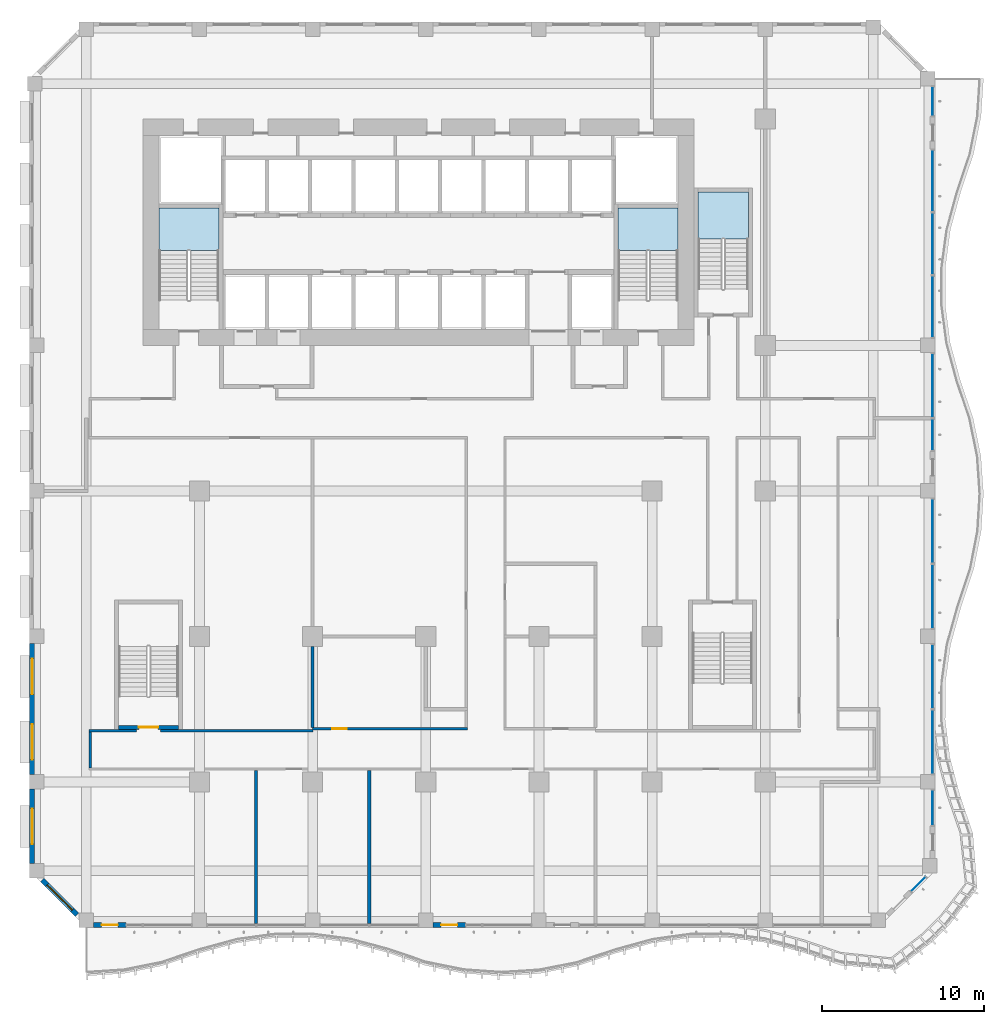
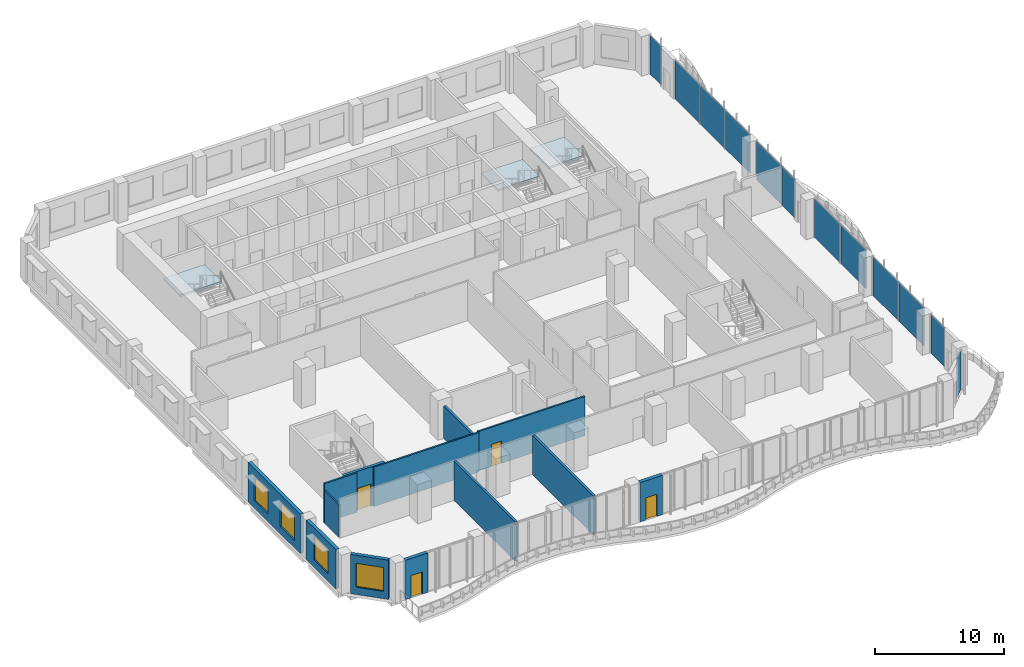
# One storey, part 11 of 26: 13 walls, 12 plates, 4 doors, 4 windows, 3 slabs, 8 openings, 15 elements without a shape of their own.
"""IFC4 building model written with IfcOpenShell, lengths in metres."""

from ifc_helpers import new_model, si_unit, direction, frame, frame_2d, origin, origin_2d, place, context, subcontext, project, spatial, polyline, rectangle, outline, extrude, source, transform, mapped, material, layer, layer_set, type_object, element, fill, aggregate, save


model = new_model("IFC4")

# Units and contexts
model_context = context("Model", 3, precision=1e-05, world=origin(), true_north=direction((0.0, 1.0)))
body_context = subcontext(model_context, "Body", "Model", "MODEL_VIEW")
ifc_project = project(units=[si_unit("LENGTHUNIT", "METRE"), si_unit("AREAUNIT", "SQUARE_METRE"), si_unit("VOLUMEUNIT", "CUBIC_METRE"), si_unit("PLANEANGLEUNIT", "RADIAN"), si_unit("MASSUNIT", "GRAM", prefix="KILO")], contexts=[model_context])

# Site, building, storey
site_placement = place(None, origin())
site = spatial("IfcSite", under=ifc_project, at=site_placement, CompositionType="ELEMENT")
building_placement = place(site_placement, origin())
building = spatial("IfcBuilding", under=site, at=building_placement, Name="Kilnfold Tower and Market Hall", CompositionType="ELEMENT")
storey_placement = place(building_placement, frame((0.0, 0.0, 83.199951171875)))
storey = spatial("IfcBuildingStorey", under=building, at=storey_placement, Name="L19", CompositionType="ELEMENT", Elevation=83.199951171875)

# Curtain wall, plate
ifc_material_1 = material(Name="Aluminium and double glazing", Category="aluminium")
curtain_wall_type = type_object("IfcCurtainWallType", Name="CW OF1 VALLEY GLAZING", PredefinedType="NOTDEFINED", material=ifc_material_1)
curtain_wall_1_placement = place(storey_placement, origin())
curtain_wall_1 = element("IfcCurtainWall", 1, at=curtain_wall_1_placement, inside=storey, type_object=curtain_wall_type, Name="Curtain wall CW1 L19 SE", PredefinedType="NOTDEFINED")
ifc_material_2 = material(Name="Double glazed unit")
ifc_layer_1 = layer(ifc_material_2, 0.031982421875)
ifc_layer_set_1 = layer_set([ifc_layer_1], Name="Double glazed unit")
plate_type = type_object("IfcPlateType", Name="GLAZING PANEL 32", PredefinedType="CURTAIN_PANEL", material=ifc_layer_set_1)
shared_shape_1 = source(origin(), body_context, "Body", "SweptSolid", [
    extrude(rectangle(XDim=1.23876953125, YDim=0.031982421875, at=origin_2d()), origin(), (0.0, 0.0, 1.0), 3.659912109375),
])
plate_1_placement = place(storey_placement, frame((31.963623046875, -25.32421875, 0.0), z_axis=(0.0, 0.0, 1.0), x_axis=(0.707106781187, 0.707106781187, 0.0)))
plate_1 = element("IfcPlate", 2, at=plate_1_placement, type_object=plate_type, Name="CW1 panel 1.1", PredefinedType="CURTAIN_PANEL", context=body_context, shape_type="MappedRepresentation", body=[
    mapped(shared_shape_1, transform((0.0, 0.0, 0.0))),
])
aggregate(curtain_wall_1, [plate_1])

curtain_wall_2_placement = place(storey_placement, origin())
curtain_wall_2 = element("IfcCurtainWall", 3, at=curtain_wall_2_placement, inside=storey, type_object=curtain_wall_type, Name="Curtain wall CW1 L19 E", PredefinedType="NOTDEFINED")
shared_shape_2 = source(origin(), body_context, "Body", "SweptSolid", [
    extrude(rectangle(XDim=2.161865234375, YDim=0.031982421875, at=origin_2d()), origin(), (0.0, 0.0, 1.0), 3.659912109375),
])
plate_2_placement = place(storey_placement, frame((32.85009765625, -20.5908203125, 0.0), z_axis=(0.0, 0.0, 1.0), x_axis=(0.0, 1.0, 0.0)))
plate_2 = element("IfcPlate", 4, at=plate_2_placement, type_object=plate_type, Name="CW1 panel 1.1", PredefinedType="CURTAIN_PANEL", context=body_context, shape_type="MappedRepresentation", body=[
    mapped(shared_shape_2, transform((0.0, 0.0, 0.0))),
])
aggregate(curtain_wall_2, [plate_2])

curtain_wall_3_placement = place(storey_placement, origin())
curtain_wall_3 = element("IfcCurtainWall", 5, at=curtain_wall_3_placement, inside=storey, type_object=curtain_wall_type, Name="Curtain wall CW1 L19 E", PredefinedType="NOTDEFINED")
shared_shape_3 = source(origin(), body_context, "Body", "SweptSolid", [
    extrude(rectangle(XDim=3.929931640625, YDim=0.031982421875, at=origin_2d()), origin(), (0.0, 0.0, 1.0), 3.659912109375),
])
plate_3_placement = place(storey_placement, frame((32.85009765625, -16.52490234375, 0.0), z_axis=(0.0, 0.0, 1.0), x_axis=(0.0, 1.0, 0.0)))
plate_3 = element("IfcPlate", 6, at=plate_3_placement, type_object=plate_type, Name="CW1 panel 1.1", PredefinedType="CURTAIN_PANEL", context=body_context, shape_type="MappedRepresentation", body=[
    mapped(shared_shape_3, transform((0.0, 0.0, 0.0))),
])
aggregate(curtain_wall_3, [plate_3])

curtain_wall_4_placement = place(storey_placement, origin())
curtain_wall_4 = element("IfcCurtainWall", 7, at=curtain_wall_4_placement, inside=storey, type_object=curtain_wall_type, Name="Curtain wall CW1 L19 E", PredefinedType="NOTDEFINED")
plate_4_placement = place(storey_placement, frame((32.85009765625, -12.47509765625, 0.0), z_axis=(0.0, 0.0, 1.0), x_axis=(0.0, 1.0, 0.0)))
plate_4 = element("IfcPlate", 8, at=plate_4_placement, type_object=plate_type, Name="CW1 panel 1.1", PredefinedType="CURTAIN_PANEL", context=body_context, shape_type="MappedRepresentation", body=[
    mapped(shared_shape_3, transform((0.0, 0.0, 0.0))),
])
aggregate(curtain_wall_4, [plate_4])

curtain_wall_5_placement = place(storey_placement, origin())
curtain_wall_5 = element("IfcCurtainWall", 9, at=curtain_wall_5_placement, inside=storey, type_object=curtain_wall_type, Name="Curtain wall CW1 L19 E", PredefinedType="NOTDEFINED")
plate_5_placement = place(storey_placement, frame((32.85009765625, -7.52490234375, 0.0), z_axis=(0.0, 0.0, 1.0), x_axis=(0.0, 1.0, 0.0)))
plate_5 = element("IfcPlate", 10, at=plate_5_placement, type_object=plate_type, Name="CW1 panel 1.1", PredefinedType="CURTAIN_PANEL", context=body_context, shape_type="MappedRepresentation", body=[
    mapped(shared_shape_3, transform((0.0, 0.0, 0.0))),
])
aggregate(curtain_wall_5, [plate_5])

curtain_wall_6_placement = place(storey_placement, origin())
curtain_wall_6 = element("IfcCurtainWall", 11, at=curtain_wall_6_placement, inside=storey, type_object=curtain_wall_type, Name="Curtain wall CW1 L19 E", PredefinedType="NOTDEFINED")
plate_6_placement = place(storey_placement, frame((32.85009765625, -3.47509765625, 0.0), z_axis=(0.0, 0.0, 1.0), x_axis=(0.0, 1.0, 0.0)))
plate_6 = element("IfcPlate", 12, at=plate_6_placement, type_object=plate_type, Name="CW1 panel 1.1", PredefinedType="CURTAIN_PANEL", context=body_context, shape_type="MappedRepresentation", body=[
    mapped(shared_shape_3, transform((0.0, 0.0, 0.0))),
])
aggregate(curtain_wall_6, [plate_6])

curtain_wall_7_placement = place(storey_placement, origin())
curtain_wall_7 = element("IfcCurtainWall", 13, at=curtain_wall_7_placement, inside=storey, type_object=curtain_wall_type, Name="Curtain wall CW1 L19 E", PredefinedType="NOTDEFINED")
plate_7_placement = place(storey_placement, frame((32.85009765625, 5.52490234375, 0.0), z_axis=(0.0, 0.0, 1.0), x_axis=(0.0, 1.0, 0.0)))
plate_7 = element("IfcPlate", 14, at=plate_7_placement, type_object=plate_type, Name="CW1 panel 1.1", PredefinedType="CURTAIN_PANEL", context=body_context, shape_type="MappedRepresentation", body=[
    mapped(shared_shape_3, transform((0.0, 0.0, 0.0))),
])
aggregate(curtain_wall_7, [plate_7])

curtain_wall_8_placement = place(storey_placement, origin())
curtain_wall_8 = element("IfcCurtainWall", 15, at=curtain_wall_8_placement, inside=storey, type_object=curtain_wall_type, Name="Curtain wall CW1 L19 E", PredefinedType="NOTDEFINED")
shared_shape_4 = source(origin(), body_context, "Body", "SweptSolid", [
    extrude(rectangle(XDim=1.929931640625, YDim=0.031982421875, at=origin_2d()), origin(), (0.0, 0.0, 1.0), 3.659912109375),
])
plate_8_placement = place(storey_placement, frame((32.85009765625, 2.47509765625, 0.0), z_axis=(0.0, 0.0, 1.0), x_axis=(0.0, 1.0, 0.0)))
plate_8 = element("IfcPlate", 16, at=plate_8_placement, type_object=plate_type, Name="CW1 panel 1.1", PredefinedType="CURTAIN_PANEL", context=body_context, shape_type="MappedRepresentation", body=[
    mapped(shared_shape_4, transform((0.0, 0.0, 0.0))),
])
aggregate(curtain_wall_8, [plate_8])

curtain_wall_9_placement = place(storey_placement, origin())
curtain_wall_9 = element("IfcCurtainWall", 17, at=curtain_wall_9_placement, inside=storey, type_object=curtain_wall_type, Name="Curtain wall CW1 L19 E", PredefinedType="NOTDEFINED")
shared_shape_5 = source(origin(), body_context, "Body", "SweptSolid", [
    extrude(rectangle(XDim=3.780029296875, YDim=0.031982421875, at=origin_2d()), origin(), (0.0, 0.0, 1.0), 3.659912109375),
])
plate_9_placement = place(storey_placement, frame((32.85009765625, 10.39990234375, 0.0), z_axis=(0.0, 0.0, 1.0), x_axis=(0.0, 1.0, 0.0)))
plate_9 = element("IfcPlate", 18, at=plate_9_placement, type_object=plate_type, Name="CW1 panel 1.1", PredefinedType="CURTAIN_PANEL", context=body_context, shape_type="MappedRepresentation", body=[
    mapped(shared_shape_5, transform((0.0, 0.0, 0.0))),
])
aggregate(curtain_wall_9, [plate_9])

curtain_wall_10_placement = place(storey_placement, origin())
curtain_wall_10 = element("IfcCurtainWall", 19, at=curtain_wall_10_placement, inside=storey, type_object=curtain_wall_type, Name="Curtain wall CW1 L19 E", PredefinedType="NOTDEFINED")
plate_10_placement = place(storey_placement, frame((32.85009765625, 14.300048828125, 0.0), z_axis=(0.0, 0.0, 1.0), x_axis=(0.0, 1.0, 0.0)))
plate_10 = element("IfcPlate", 20, at=plate_10_placement, type_object=plate_type, Name="CW1 panel 1.1", PredefinedType="CURTAIN_PANEL", context=body_context, shape_type="MappedRepresentation", body=[
    mapped(shared_shape_5, transform((0.0, 0.0, 0.0))),
])
aggregate(curtain_wall_10, [plate_10])

curtain_wall_11_placement = place(storey_placement, origin())
curtain_wall_11 = element("IfcCurtainWall", 21, at=curtain_wall_11_placement, inside=storey, type_object=curtain_wall_type, Name="Curtain wall CW1 L19 E", PredefinedType="NOTDEFINED")
plate_11_placement = place(storey_placement, frame((32.85009765625, 18.199951171875, 0.0), z_axis=(0.0, 0.0, 1.0), x_axis=(0.0, 1.0, 0.0)))
plate_11 = element("IfcPlate", 22, at=plate_11_placement, type_object=plate_type, Name="CW1 panel 1.1", PredefinedType="CURTAIN_PANEL", context=body_context, shape_type="MappedRepresentation", body=[
    mapped(shared_shape_5, transform((0.0, 0.0, 0.0))),
])
aggregate(curtain_wall_11, [plate_11])

curtain_wall_12_placement = place(storey_placement, origin())
curtain_wall_12 = element("IfcCurtainWall", 23, at=curtain_wall_12_placement, inside=storey, type_object=curtain_wall_type, Name="Curtain wall CW1 L19 E", PredefinedType="NOTDEFINED")
shared_shape_6 = source(origin(), body_context, "Body", "SweptSolid", [
    extrude(rectangle(XDim=1.780029296875, YDim=0.031982421875, at=origin_2d()), origin(), (0.0, 0.0, 1.0), 3.659912109375),
])
plate_12_placement = place(storey_placement, frame((32.85009765625, 23.10009765625, 0.0), z_axis=(0.0, 0.0, 1.0), x_axis=(0.0, 1.0, 0.0)))
plate_12 = element("IfcPlate", 24, at=plate_12_placement, type_object=plate_type, Name="CW1 panel 1.1", PredefinedType="CURTAIN_PANEL", context=body_context, shape_type="MappedRepresentation", body=[
    mapped(shared_shape_6, transform((0.0, 0.0, 0.0))),
])
aggregate(curtain_wall_12, [plate_12])

# Stair, slab
ifc_material_3 = material(Name="Concrete C40/50", Category="concrete")
stair_type_1 = type_object("IfcStairType", Name="CORE STAIR 1800", PredefinedType="HALF_TURN_STAIR", material=ifc_material_3)
stair_1_placement = place(storey_placement, origin())
stair_1 = element("IfcStair", 25, at=stair_1_placement, inside=storey, type_object=stair_type_1, Name="L19 ST1", PredefinedType="HALF_TURN_STAIR")
ifc_material_4 = material(Name="Concrete C40/50", Category="concrete")
ifc_layer_2 = layer(ifc_material_4, 0.199951171875)
ifc_layer_set_2 = layer_set([ifc_layer_2], Name="Concrete C40/50")
slab_type = type_object("IfcSlabType", Name="CORE STAIR LANDING 200", PredefinedType="LANDING", material=ifc_layer_set_2)
shared_shape_7 = source(origin(), body_context, "Body", "SweptSolid", [
    extrude(outline(polyline([(-11.300048828125, 13.8798828125), (-11.300048828125, 16.5), (-15.0, 16.5), (-15.0, 13.8798828125), (-11.300048828125, 13.8798828125)])), origin(), (0.0, 0.0, 1.0), 0.199951171875),
])
slab_1_placement = place(storey_placement, frame((0.0, 0.0, 1.800048828125)))
slab_1 = element("IfcSlab", 26, at=slab_1_placement, type_object=slab_type, Name="ST1 landing 1", PredefinedType="LANDING", context=body_context, shape_type="MappedRepresentation", body=[
    mapped(shared_shape_7, transform((0.0, 0.0, 0.0))),
])
aggregate(stair_1, [slab_1])

stair_2_placement = place(storey_placement, origin())
stair_2 = element("IfcStair", 27, at=stair_2_placement, inside=storey, type_object=stair_type_1, Name="L19 ST2", PredefinedType="HALF_TURN_STAIR")
shared_shape_8 = source(origin(), body_context, "Body", "SweptSolid", [
    extrude(outline(polyline([(17.10009765625, 13.8798828125), (17.10009765625, 16.5), (13.39990234375, 16.5), (13.39990234375, 13.8798828125), (17.10009765625, 13.8798828125)])), origin(), (0.0, 0.0, 1.0), 0.199951171875),
])
slab_2_placement = place(storey_placement, frame((0.0, 0.0, 1.800048828125)))
slab_2 = element("IfcSlab", 28, at=slab_2_placement, type_object=slab_type, Name="ST2 landing 1", PredefinedType="LANDING", context=body_context, shape_type="MappedRepresentation", body=[
    mapped(shared_shape_8, transform((0.0, 0.0, 0.0))),
])
aggregate(stair_2, [slab_2])

ifc_material_5 = material(Name="Concrete C40/50", Category="concrete")
stair_type_2 = type_object("IfcStairType", Name="CORE STAIR 1500", PredefinedType="HALF_TURN_STAIR", material=ifc_material_5)
stair_3_placement = place(storey_placement, origin())
stair_3 = element("IfcStair", 29, at=stair_3_placement, inside=storey, type_object=stair_type_2, Name="L19 ST5", PredefinedType="HALF_TURN_STAIR")
shared_shape_9 = source(origin(), body_context, "Body", "SweptSolid", [
    extrude(outline(polyline([(21.449951171875, 14.580078125), (21.449951171875, 17.5), (18.35009765625, 17.5), (18.35009765625, 14.580078125), (21.449951171875, 14.580078125)])), origin(), (0.0, 0.0, 1.0), 0.199951171875),
])
slab_3_placement = place(storey_placement, frame((0.0, 0.0, 1.800048828125)))
slab_3 = element("IfcSlab", 30, at=slab_3_placement, type_object=slab_type, Name="ST5 landing 1", PredefinedType="LANDING", context=body_context, shape_type="MappedRepresentation", body=[
    mapped(shared_shape_9, transform((0.0, 0.0, 0.0))),
])
aggregate(stair_3, [slab_3])

# Walls
ifc_material_6 = material(Name="Gypsum board on steel studs", Category="steel")
ifc_layer_3 = layer(ifc_material_6, 0.14990234375)
ifc_layer_set_3 = layer_set([ifc_layer_3], Name="Gypsum board on steel studs")
wall_type_1 = type_object("IfcWallType", Name="WALL CORRIDOR 150", PredefinedType="PARTITIONING", material=ifc_layer_set_3)
wall_1_placement = place(storey_placement, frame((-19.25, -18.125, 0.0), z_axis=(0.0, 0.0, 1.0), x_axis=(0.0, 1.0, 0.0)))
element("IfcWall", 31, at=wall_1_placement, inside=storey, type_object=wall_type_1, Name="Partition LY13.2", PredefinedType="PARTITIONING", context=body_context, shape_type="SweptSolid", body=[
    extrude(rectangle(XDim=2.22509765625, YDim=0.14990234375, at=frame_2d((1.112548828125, 0.0))), origin(), (0.0, 0.0, 1.0), 3.070068359375),
])
wall_2_placement = place(storey_placement, frame((-14.89990234375, -15.824951171875, 0.0), z_axis=(0.0, 0.0, 1.0), x_axis=(1.0, 0.0, 0.0)))
element("IfcWall", 32, at=wall_2_placement, inside=storey, type_object=wall_type_1, Name="Partition LY13.3", PredefinedType="PARTITIONING", context=body_context, shape_type="SweptSolid", body=[
    extrude(rectangle(XDim=9.409912109375, YDim=0.14990234375, at=frame_2d((4.705078125, 0.0))), origin(), (0.0, 0.0, 1.0), 3.719970703125),
])
wall_3_placement = place(storey_placement, frame((-19.324951171875, -15.824951171875, 0.0), z_axis=(0.0, 0.0, 1.0), x_axis=(1.0, 0.0, 0.0)))
element("IfcWall", 33, at=wall_3_placement, inside=storey, type_object=wall_type_1, Name="Partition LY13.4", PredefinedType="PARTITIONING", context=body_context, shape_type="SweptSolid", body=[
    extrude(rectangle(XDim=2.925048828125, YDim=0.14990234375, at=frame_2d((1.46240234375, 0.0))), origin(), (0.0, 0.0, 1.0), 3.719970703125),
])

# Wall, opening, door
wall_4_placement = place(storey_placement, frame((-5.510009765625, -15.699951171875, 0.0), z_axis=(0.0, 0.0, 1.0), x_axis=(1.0, 0.0, 0.0)))
wall_4 = element("IfcWall", 34, at=wall_4_placement, inside=storey, type_object=wall_type_1, Name="Partition LY13.12", PredefinedType="PARTITIONING", context=body_context, shape_type="SweptSolid", body=[
    extrude(rectangle(XDim=9.5849609375, YDim=0.14990234375, at=frame_2d((4.79248046875, 0.0))), origin(), (0.0, 0.0, 1.0), 3.719970703125),
])
opening_1_placement = place(wall_4_placement, frame((1.2099609375, 0.0, 0.0)))
opening_1 = element("IfcOpeningElement", 35, at=opening_1_placement, cuts=wall_4, Name="Opening D2", PredefinedType="OPENING", context=body_context, shape_type="SweptSolid", body=[
    extrude(rectangle(XDim=0.89990234375, YDim=2.10009765625, at=frame_2d((0.449951171875, 1.050048828125))), frame((0.0, 0.0849609375, 0.0), z_axis=(0.0, -1.0, 0.0), x_axis=(1.0, 0.0, 0.0)), (0.0, 0.0, 1.0), 0.169921875),
])
ifc_material_7 = material(Name="Timber veneer door leaf in steel frame", Category="steel")
door_type_1 = type_object("IfcDoorType", Name="DOOR ROOM 900 X2100", OperationType="NOTDEFINED", PredefinedType="DOOR", material=ifc_material_7)
door_1_placement = place(opening_1_placement, origin())
door_1 = element("IfcDoor", 36, at=door_1_placement, inside=storey, type_object=door_type_1, Name="Door D2", OperationType="SINGLE_SWING_LEFT", OverallHeight=2.10009765625, OverallWidth=0.89990234375, PredefinedType="DOOR", context=body_context, shape_type="SweptSolid", body=[
    extrude(rectangle(XDim=0.89990234375, YDim=2.10009765625, at=frame_2d((0.449951171875, 1.050048828125))), frame((0.0, 0.02490234375, 0.0), z_axis=(0.0, -1.0, 0.0), x_axis=(1.0, 0.0, 0.0)), (0.0, 0.0, 1.0), 0.050048828125),
])
fill(opening_1, door_1)

# Walls
ifc_material_8 = material(Name="Gypsum board on steel studs", Category="steel")
ifc_layer_4 = layer(ifc_material_8, 0.199951171875)
ifc_layer_set_4 = layer_set([ifc_layer_4], Name="Gypsum board on steel studs")
wall_type_2 = type_object("IfcWallType", Name="WALL PARTY 200", PredefinedType="PARTITIONING", material=ifc_layer_set_4)
wall_5_placement = place(storey_placement, frame((-9.0, -27.75, 0.0), z_axis=(0.0, 0.0, 1.0), x_axis=(0.0, 1.0, 0.0)))
element("IfcWall", 37, at=wall_5_placement, inside=storey, type_object=wall_type_2, Name="Partition LY13.39", PredefinedType="PARTITIONING", context=body_context, shape_type="SweptSolid", body=[
    extrude(rectangle(XDim=9.47412109375, YDim=0.199951171875, at=frame_2d((4.737060546875, 0.0))), origin(), (0.0, 0.0, 1.0), 3.719970703125),
])
wall_6_placement = place(storey_placement, frame((-5.5, -15.6240234375, 0.0), z_axis=(0.0, 0.0, 1.0), x_axis=(0.0, 1.0, 0.0)))
element("IfcWall", 38, at=wall_6_placement, inside=storey, type_object=wall_type_2, Name="Partition LY13.40", PredefinedType="PARTITIONING", context=body_context, shape_type="SweptSolid", body=[
    extrude(rectangle(XDim=4.9990234375, YDim=0.199951171875, at=frame_2d((2.49951171875, 0.0))), origin(), (0.0, 0.0, 1.0), 3.070068359375),
])
wall_7_placement = place(storey_placement, frame((-2.0, -27.75, 0.0), z_axis=(0.0, 0.0, 1.0), x_axis=(0.0, 1.0, 0.0)))
element("IfcWall", 39, at=wall_7_placement, inside=storey, type_object=wall_type_2, Name="Partition LY13.43", PredefinedType="PARTITIONING", context=body_context, shape_type="SweptSolid", body=[
    extrude(rectangle(XDim=9.47412109375, YDim=0.199951171875, at=frame_2d((4.737060546875, 0.0))), origin(), (0.0, 0.0, 1.0), 3.719970703125),
])

# Wall, opening, door
ifc_material_9 = material(Name="Concrete C80", Category="concrete")
ifc_layer_5 = layer(ifc_material_9, 0.25)
ifc_layer_set_5 = layer_set([ifc_layer_5], Name="Concrete C80")
wall_type_3 = type_object("IfcWallType", Name="CORE WALL 250 C80", PredefinedType="SHEAR", material=ifc_layer_set_5)
shared_shape_10 = source(origin(), body_context, "Body", "SweptSolid", [
    extrude(rectangle(XDim=3.699951171875, YDim=0.25, at=frame_2d((1.85009765625, 0.0))), origin(), (0.0, 0.0, 1.0), 3.719970703125),
])
wall_8_placement = place(storey_placement, frame((-17.5, -15.625, 0.0), z_axis=(0.0, 0.0, 1.0), x_axis=(1.0, 0.0, 0.0)))
wall_8 = element("IfcWall", 40, at=wall_8_placement, inside=storey, type_object=wall_type_3, Name="Stair enclosure ST3", PredefinedType="SHEAR", context=body_context, shape_type="MappedRepresentation", body=[
    mapped(shared_shape_10, transform((0.0, 0.0, 0.0))),
])
opening_2_placement = place(wall_8_placement, frame((1.25, 0.0, 0.0)))
opening_2 = element("IfcOpeningElement", 41, at=opening_2_placement, cuts=wall_8, Name="Opening SD1", PredefinedType="OPENING", context=body_context, shape_type="SweptSolid", body=[
    extrude(rectangle(XDim=1.199951171875, YDim=2.10009765625, at=frame_2d((0.60009765625, 1.050048828125))), frame((0.0, 0.135009765625, 0.0), z_axis=(0.0, -1.0, 0.0), x_axis=(1.0, 0.0, 0.0)), (0.0, 0.0, 1.0), 0.27001953125),
])
ifc_material_10 = material(Name="Steel door set with fire-resisting leaf", Category="steel")
door_type_2 = type_object("IfcDoorType", Name="STAIR FLOOR DOOR 1200X2100", OperationType="NOTDEFINED", PredefinedType="DOOR", material=ifc_material_10)
door_2_placement = place(opening_2_placement, origin())
door_2 = element("IfcDoor", 42, at=door_2_placement, inside=storey, type_object=door_type_2, Name="Exit stair ST3 door", OperationType="DOUBLE_DOOR_SINGLE_SWING", OverallHeight=2.10009765625, OverallWidth=1.199951171875, PredefinedType="DOOR", context=body_context, shape_type="SweptSolid", body=[
    extrude(rectangle(XDim=1.199951171875, YDim=2.10009765625, at=frame_2d((0.60009765625, 1.050048828125))), frame((0.0, 0.02490234375, 0.0), z_axis=(0.0, -1.0, 0.0), x_axis=(1.0, 0.0, 0.0)), (0.0, 0.0, 1.0), 0.050048828125),
])
fill(opening_2, door_2)

ifc_material_11 = material(Name="Precast concrete C50/60", Category="concrete")
ifc_layer_6 = layer(ifc_material_11, 0.300048828125)
ifc_layer_set_6 = layer_set([ifc_layer_6], Name="Precast concrete C50/60")
wall_type_4 = type_object("IfcWallType", Name="PRECAST WALL 300", PredefinedType="SOLIDWALL", material=ifc_layer_set_6)
shared_shape_11 = source(origin(), body_context, "Body", "SweptSolid", [
    extrude(rectangle(XDim=2.0, YDim=0.300048828125, at=frame_2d((1.0, 0.0))), origin(), (0.0, 0.0, 1.0), 3.719970703125),
])
wall_9_placement = place(storey_placement, frame((-19.050048828125, -27.85009765625, 0.0), z_axis=(0.0, 0.0, 1.0), x_axis=(1.0, 0.0, 0.0)))
wall_9 = element("IfcWall", 43, at=wall_9_placement, inside=storey, type_object=wall_type_4, Name="External wall L19 S", PredefinedType="SOLIDWALL", context=body_context, shape_type="MappedRepresentation", body=[
    mapped(shared_shape_11, transform((0.0, 0.0, 0.0))),
])
opening_3_placement = place(wall_9_placement, frame((0.5, 0.0, 0.0)))
opening_3 = element("IfcOpeningElement", 44, at=opening_3_placement, cuts=wall_9, Name="Opening BD1", PredefinedType="OPENING", context=body_context, shape_type="SweptSolid", body=[
    extrude(rectangle(XDim=1.0, YDim=2.10009765625, at=frame_2d((0.5, 1.050048828125))), frame((0.0, 0.16015625, 0.0), z_axis=(0.0, -1.0, 0.0), x_axis=(1.0, 0.0, 0.0)), (0.0, 0.0, 1.0), 0.320068359375),
])
ifc_material_12 = material(Name="Aluminium frame and double glazing", Category="aluminium")
door_type_3 = type_object("IfcDoorType", Name="BALCONY DOOR 1000X2100", OperationType="NOTDEFINED", PredefinedType="DOOR", material=ifc_material_12)
door_3_placement = place(opening_3_placement, origin())
door_3 = element("IfcDoor", 45, at=door_3_placement, inside=storey, type_object=door_type_3, Name="Balcony door BD1 L19 S-1", OperationType="SINGLE_SWING_LEFT", OverallHeight=2.10009765625, OverallWidth=1.0, PredefinedType="DOOR", context=body_context, shape_type="SweptSolid", body=[
    extrude(rectangle(XDim=1.0, YDim=2.10009765625, at=frame_2d((0.5, 1.050048828125))), frame((0.0, 0.02490234375, 0.0), z_axis=(0.0, -1.0, 0.0), x_axis=(1.0, 0.0, 0.0)), (0.0, 0.0, 1.0), 0.050048828125),
])
fill(opening_3, door_3)

wall_10_placement = place(storey_placement, frame((1.949951171875, -27.85009765625, 0.0), z_axis=(0.0, 0.0, 1.0), x_axis=(1.0, 0.0, 0.0)))
wall_10 = element("IfcWall", 46, at=wall_10_placement, inside=storey, type_object=wall_type_4, Name="External wall L19 S", PredefinedType="SOLIDWALL", context=body_context, shape_type="MappedRepresentation", body=[
    mapped(shared_shape_11, transform((0.0, 0.0, 0.0))),
])
opening_4_placement = place(wall_10_placement, frame((0.5, 0.0, 0.0)))
opening_4 = element("IfcOpeningElement", 47, at=opening_4_placement, cuts=wall_10, Name="Opening BD1", PredefinedType="OPENING", context=body_context, shape_type="SweptSolid", body=[
    extrude(rectangle(XDim=1.0, YDim=2.10009765625, at=frame_2d((0.5, 1.050048828125))), frame((0.0, 0.16015625, 0.0), z_axis=(0.0, -1.0, 0.0), x_axis=(1.0, 0.0, 0.0)), (0.0, 0.0, 1.0), 0.320068359375),
])
door_4_placement = place(opening_4_placement, origin())
door_4 = element("IfcDoor", 48, at=door_4_placement, inside=storey, type_object=door_type_3, Name="Balcony door BD1 L19 S-1", OperationType="SINGLE_SWING_LEFT", OverallHeight=2.10009765625, OverallWidth=1.0, PredefinedType="DOOR", context=body_context, shape_type="SweptSolid", body=[
    extrude(rectangle(XDim=1.0, YDim=2.10009765625, at=frame_2d((0.5, 1.050048828125))), frame((0.0, 0.02490234375, 0.0), z_axis=(0.0, -1.0, 0.0), x_axis=(1.0, 0.0, 0.0)), (0.0, 0.0, 1.0), 0.050048828125),
])
fill(opening_4, door_4)

# Wall, openings, windows
shared_shape_12 = source(origin(), body_context, "Body", "SweptSolid", [
    extrude(rectangle(XDim=8.10009765625, YDim=0.300048828125, at=frame_2d((4.050048828125, 0.0))), origin(), (0.0, 0.0, 1.0), 3.719970703125),
])
wall_11_placement = place(storey_placement, frame((-22.85009765625, -10.449951171875, 0.0), z_axis=(0.0, 0.0, 1.0), x_axis=(0.0, -1.0, 0.0)))
wall_11 = element("IfcWall", 49, at=wall_11_placement, inside=storey, type_object=wall_type_4, Name="External wall L19 W", PredefinedType="SOLIDWALL", context=body_context, shape_type="MappedRepresentation", body=[
    mapped(shared_shape_12, transform((0.0, 0.0, 0.0))),
])
opening_5_placement = place(wall_11_placement, frame((0.925048828125, 0.0, 0.699951171875)))
opening_5 = element("IfcOpeningElement", 50, at=opening_5_placement, cuts=wall_11, Name="Opening W1", PredefinedType="OPENING", context=body_context, shape_type="SweptSolid", body=[
    extrude(rectangle(XDim=2.199951171875, YDim=2.25, at=frame_2d((1.10009765625, 1.125))), frame((0.0, 0.16015625, 0.0), z_axis=(0.0, -1.0, 0.0), x_axis=(1.0, 0.0, 0.0)), (0.0, 0.0, 1.0), 0.320068359375),
])
opening_6_placement = place(wall_11_placement, frame((4.97509765625, 0.0, 0.699951171875)))
opening_6 = element("IfcOpeningElement", 51, at=opening_6_placement, cuts=wall_11, Name="Opening W1", PredefinedType="OPENING", context=body_context, shape_type="SweptSolid", body=[
    extrude(rectangle(XDim=2.199951171875, YDim=2.25, at=frame_2d((1.10009765625, 1.125))), frame((0.0, 0.16015625, 0.0), z_axis=(0.0, -1.0, 0.0), x_axis=(1.0, 0.0, 0.0)), (0.0, 0.0, 1.0), 0.320068359375),
])
ifc_material_13 = material(Name="Aluminium frame and double glazing", Category="aluminium")
window_type = type_object("IfcWindowType", Name="WINDOW W1 2200X2250", PartitioningType="SINGLE_PANEL", PredefinedType="WINDOW", material=ifc_material_13)
window_1_placement = place(opening_5_placement, origin())
window_1 = element("IfcWindow", 52, at=window_1_placement, inside=storey, type_object=window_type, Name="Window W1 L19 W-1", OverallHeight=2.25, OverallWidth=2.199951171875, PartitioningType="SINGLE_PANEL", PredefinedType="WINDOW", context=body_context, shape_type="SweptSolid", body=[
    extrude(rectangle(XDim=2.199951171875, YDim=2.25, at=frame_2d((1.10009765625, 1.125))), frame((0.0, 0.030029296875, 0.0), z_axis=(0.0, -1.0, 0.0), x_axis=(1.0, 0.0, 0.0)), (0.0, 0.0, 1.0), 0.06005859375),
])
fill(opening_5, window_1)
window_2_placement = place(opening_6_placement, origin())
window_2 = element("IfcWindow", 53, at=window_2_placement, inside=storey, type_object=window_type, Name="Window W1 L19 W-2", OverallHeight=2.25, OverallWidth=2.199951171875, PartitioningType="SINGLE_PANEL", PredefinedType="WINDOW", context=body_context, shape_type="SweptSolid", body=[
    extrude(rectangle(XDim=2.199951171875, YDim=2.25, at=frame_2d((1.10009765625, 1.125))), frame((0.0, 0.030029296875, 0.0), z_axis=(0.0, -1.0, 0.0), x_axis=(1.0, 0.0, 0.0)), (0.0, 0.0, 1.0), 0.06005859375),
])
fill(opening_6, window_2)

# Wall, opening, window
shared_shape_13 = source(origin(), body_context, "Body", "SweptSolid", [
    extrude(rectangle(XDim=4.60009765625, YDim=0.300048828125, at=frame_2d((2.300048828125, 0.0))), origin(), (0.0, 0.0, 1.0), 3.719970703125),
])
wall_12_placement = place(storey_placement, frame((-22.85009765625, -19.449951171875, 0.0), z_axis=(0.0, 0.0, 1.0), x_axis=(0.0, -1.0, 0.0)))
wall_12 = element("IfcWall", 54, at=wall_12_placement, inside=storey, type_object=wall_type_4, Name="External wall L19 W", PredefinedType="SOLIDWALL", context=body_context, shape_type="MappedRepresentation", body=[
    mapped(shared_shape_13, transform((0.0, 0.0, 0.0))),
])
opening_7_placement = place(wall_12_placement, frame((1.199951171875, 0.0, 0.699951171875)))
opening_7 = element("IfcOpeningElement", 55, at=opening_7_placement, cuts=wall_12, Name="Opening W1", PredefinedType="OPENING", context=body_context, shape_type="SweptSolid", body=[
    extrude(rectangle(XDim=2.199951171875, YDim=2.25, at=frame_2d((1.10009765625, 1.125))), frame((0.0, 0.16015625, 0.0), z_axis=(0.0, -1.0, 0.0), x_axis=(1.0, 0.0, 0.0)), (0.0, 0.0, 1.0), 0.320068359375),
])
window_3_placement = place(opening_7_placement, origin())
window_3 = element("IfcWindow", 56, at=window_3_placement, inside=storey, type_object=window_type, Name="Window W1 L19 W-1", OverallHeight=2.25, OverallWidth=2.199951171875, PartitioningType="SINGLE_PANEL", PredefinedType="WINDOW", context=body_context, shape_type="SweptSolid", body=[
    extrude(rectangle(XDim=2.199951171875, YDim=2.25, at=frame_2d((1.10009765625, 1.125))), frame((0.0, 0.030029296875, 0.0), z_axis=(0.0, -1.0, 0.0), x_axis=(1.0, 0.0, 0.0)), (0.0, 0.0, 1.0), 0.06005859375),
])
fill(opening_7, window_3)

shared_shape_14 = source(origin(), body_context, "Body", "SweptSolid", [
    extrude(rectangle(XDim=3.040771484375, YDim=0.300048828125, at=frame_2d((1.5205078125, 0.0))), origin(), (0.0, 0.0, 1.0), 3.719970703125),
])
wall_13_placement = place(storey_placement, frame((-22.218994140625, -25.06884765625, 0.0), z_axis=(0.0, 0.0, 1.0), x_axis=(0.707106781187, -0.707106781187, 0.0)))
wall_13 = element("IfcWall", 57, at=wall_13_placement, inside=storey, type_object=wall_type_4, Name="External wall L19 SW", PredefinedType="SOLIDWALL", context=body_context, shape_type="MappedRepresentation", body=[
    mapped(shared_shape_14, transform((0.0, 0.0, 0.0))),
])
opening_8_placement = place(wall_13_placement, frame((0.42041015625, 0.0, 0.699951171875)))
opening_8 = element("IfcOpeningElement", 58, at=opening_8_placement, cuts=wall_13, Name="Opening W1", PredefinedType="OPENING", context=body_context, shape_type="SweptSolid", body=[
    extrude(rectangle(XDim=2.199951171875, YDim=2.25, at=frame_2d((1.10009765625, 1.125))), frame((0.0, 0.16015625, 0.0), z_axis=(0.0, -1.0, 0.0), x_axis=(1.0, 0.0, 0.0)), (0.0, 0.0, 1.0), 0.320068359375),
])
window_4_placement = place(opening_8_placement, origin())
window_4 = element("IfcWindow", 59, at=window_4_placement, inside=storey, type_object=window_type, Name="Window W1 L19 SW-1", OverallHeight=2.25, OverallWidth=2.199951171875, PartitioningType="SINGLE_PANEL", PredefinedType="WINDOW", context=body_context, shape_type="SweptSolid", body=[
    extrude(rectangle(XDim=2.199951171875, YDim=2.25, at=frame_2d((1.10009765625, 1.125))), frame((0.0, 0.030029296875, 0.0), z_axis=(0.0, -1.0, 0.0), x_axis=(1.0, 0.0, 0.0)), (0.0, 0.0, 1.0), 0.06005859375),
])
fill(opening_8, window_4)

save(model, "model.ifc")
